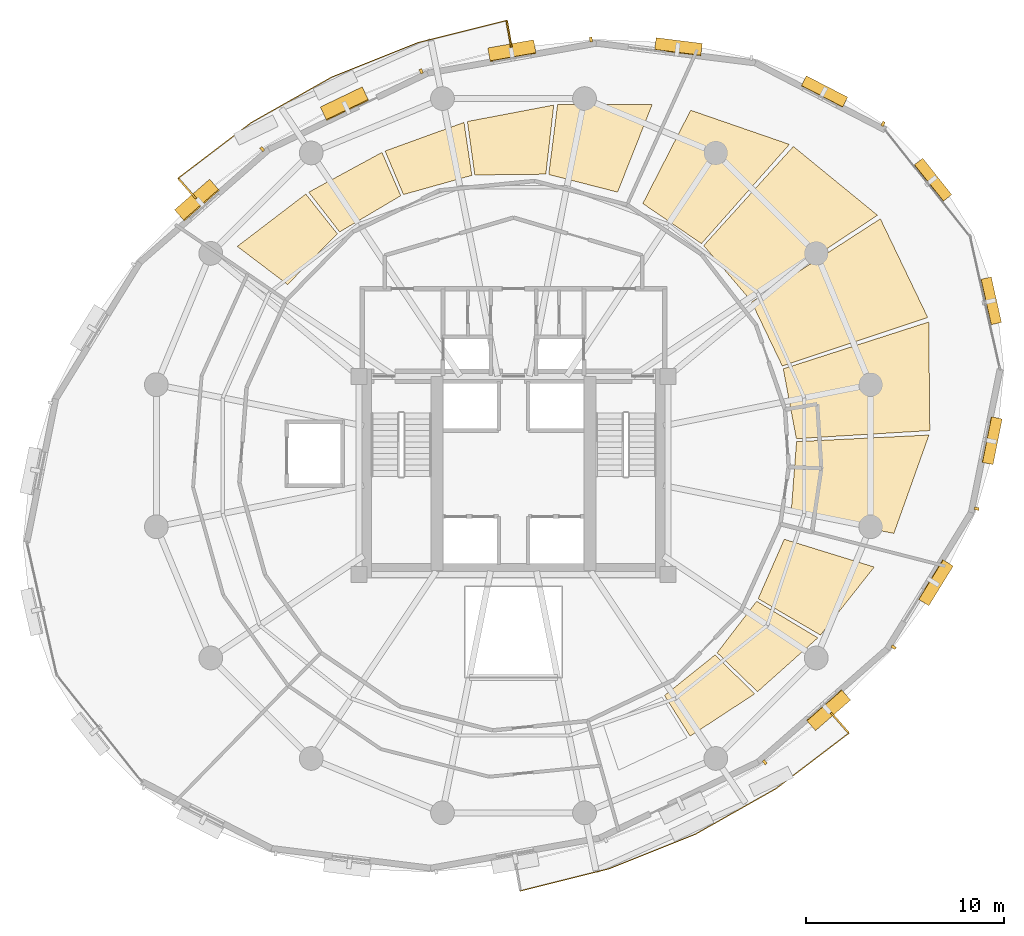
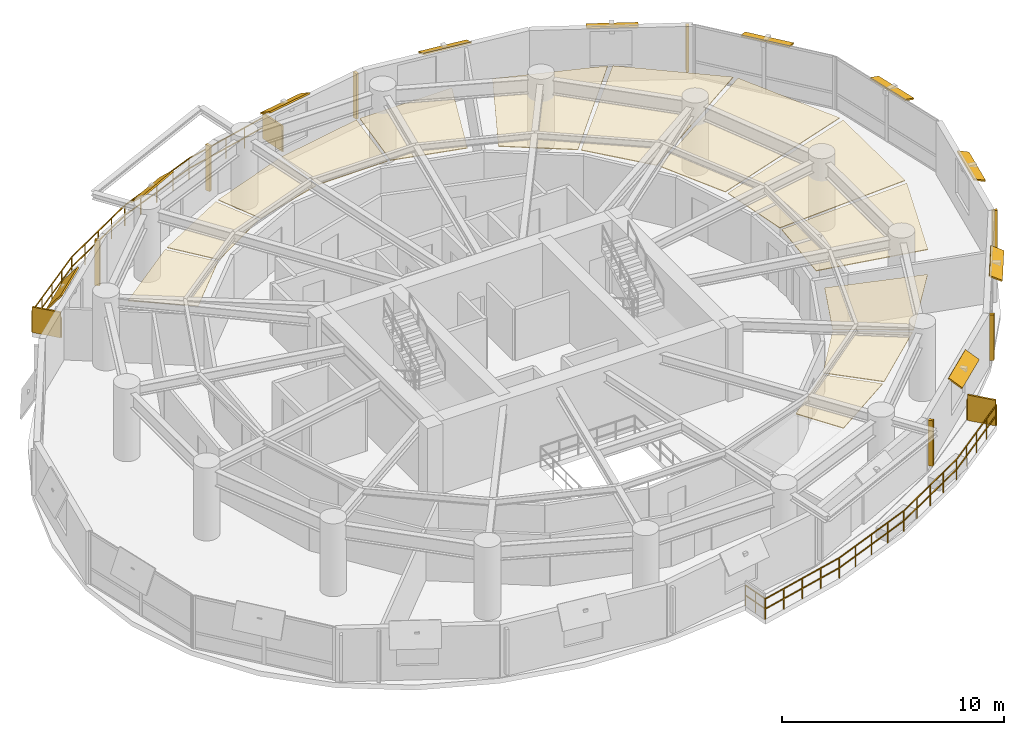
# One storey, part 14 of 15: 20 shading devices, 13 coverings, 2 railings.
"""IFC4 building model written with IfcOpenShell, lengths in metres."""

from ifc_helpers import new_model, si_unit, direction, frame, origin, origin_2d, place, context, subcontext, project, spatial, polyline, rectangle, outline, extrude, material, layer, layer_set, type_object, element, save


model = new_model("IFC4")

# Units and contexts
model_context = context("Model", 3, precision=1e-05, world=origin(), true_north=direction((0.0, 1.0)))
body_context = subcontext(model_context, "Body", "Model", "MODEL_VIEW")
ifc_project = project(units=[si_unit("LENGTHUNIT", "METRE"), si_unit("AREAUNIT", "SQUARE_METRE"), si_unit("VOLUMEUNIT", "CUBIC_METRE"), si_unit("PLANEANGLEUNIT", "RADIAN"), si_unit("MASSUNIT", "GRAM", prefix="KILO"), si_unit("THERMODYNAMICTEMPERATUREUNIT", "KELVIN"), si_unit("POWERUNIT", "WATT")], contexts=[model_context])

# Site, building, storey
site_placement = place(None, origin())
site = spatial("IfcSite", under=ifc_project, at=site_placement, CompositionType="ELEMENT")
building_placement = place(site_placement, origin())
building = spatial("IfcBuilding", under=site, at=building_placement, Name="Ocrelia Relay Tower", CompositionType="ELEMENT")
storey_placement = place(building_placement, frame((0.0, 0.0, 141.800048828125)))
storey = spatial("IfcBuildingStorey", under=building, at=storey_placement, Name="L33", CompositionType="ELEMENT", Elevation=141.800048828125)

# Coverings
ifc_material_1 = material(Name="Mineral-fiber acoustic ceiling tile", Category="gypsum")
ifc_layer_1 = layer(ifc_material_1, 0.0400390625, Name="Mineral-fiber acoustic ceiling tile")
ifc_layer_set_1 = layer_set([ifc_layer_1], Name="Mineral-fiber acoustic ceiling tile")
covering_type_1 = type_object("IfcCoveringType", Name="COV-CEIL-ACOUSTIC", PredefinedType="CEILING", material=ifc_layer_set_1)
covering_1_placement = place(storey_placement, frame((0.0, 0.0, 2.719970703125)))
element("IfcCovering", 1, at=covering_1_placement, inside=storey, type_object=covering_type_1, Name="L33 Shift Staff Lounge Suspended Ceiling 1", PredefinedType="CEILING", context=body_context, shape_type="SweptSolid", body=[
    extrude(outline(polyline([(48.030029296875, 23.1328125), (53.2216796875, 22.07177734375), (54.99609375, 27.045166015625), (48.30224609375, 26.7119140625), (48.030029296875, 23.1328125)])), origin(), (0.0, 0.0, 1.0), 0.0400390625),
])
covering_2_placement = place(storey_placement, frame((0.0, 0.0, 2.719970703125)))
element("IfcCovering", 2, at=covering_2_placement, inside=storey, type_object=covering_type_1, Name="L33 Shift Staff Lounge Suspended Ceiling 2", PredefinedType="CEILING", context=body_context, shape_type="SweptSolid", body=[
    extrude(outline(polyline([(48.2939453125, 26.86181640625), (55.03759765625, 27.268310546875), (54.983642578125, 32.75732421875), (47.630615234375, 30.389404296875), (48.2939453125, 26.86181640625)])), origin(), (0.0, 0.0, 1.0), 0.0400390625),
])
covering_3_placement = place(storey_placement, frame((0.0, 0.0, 2.719970703125)))
element("IfcCovering", 3, at=covering_3_placement, inside=storey, type_object=covering_type_1, Name="L33 Shift Staff Lounge Suspended Ceiling 3", PredefinedType="CEILING", context=body_context, shape_type="SweptSolid", body=[
    extrude(outline(polyline([(47.583984375, 30.531982421875), (54.93310546875, 32.98388671875), (52.538818359375, 37.97021484375), (46.030029296875, 33.767822265625), (47.583984375, 30.531982421875)])), origin(), (0.0, 0.0, 1.0), 0.0400390625),
])
covering_4_placement = place(storey_placement, frame((0.0, 0.0, 2.719970703125)))
element("IfcCovering", 4, at=covering_4_placement, inside=storey, type_object=covering_type_1, Name="L33 Shift Staff Lounge Suspended Ceiling 4", PredefinedType="CEILING", context=body_context, shape_type="SweptSolid", body=[
    extrude(outline(polyline([(45.947998046875, 33.893310546875), (52.3935546875, 38.1513671875), (48.1435546875, 41.62548828125), (43.60986328125, 36.61669921875), (45.947998046875, 33.893310546875)])), origin(), (0.0, 0.0, 1.0), 0.0400390625),
])
covering_5_placement = place(storey_placement, frame((0.0, 0.0, 2.719970703125)))
element("IfcCovering", 5, at=covering_5_placement, inside=storey, type_object=covering_type_1, Name="L33 Shift Staff Lounge Suspended Ceiling 5", PredefinedType="CEILING", context=body_context, shape_type="SweptSolid", body=[
    extrude(outline(polyline([(43.498046875, 36.716796875), (47.943359375, 41.732421875), (42.95263671875, 43.457275390625), (40.534423828125, 38.7421875), (43.498046875, 36.716796875)])), origin(), (0.0, 0.0, 1.0), 0.0400390625),
])
ifc_material_2 = material(Name="Cleanroom metal-pan acoustic ceiling", Category="aluminium")
ifc_layer_2 = layer(ifc_material_2, 0.0400390625, Name="Cleanroom metal-pan acoustic ceiling")
ifc_layer_set_2 = layer_set([ifc_layer_2], Name="Cleanroom metal-pan acoustic ceiling")
covering_type_2 = type_object("IfcCoveringType", Name="COV-CEIL-CLEAN", PredefinedType="CEILING", material=ifc_layer_set_2)
covering_6_placement = place(storey_placement, frame((0.0, 0.0, 2.719970703125)))
element("IfcCovering", 6, at=covering_6_placement, inside=storey, type_object=covering_type_2, Name="L33 Optical Switching Hall A Suspended Ceiling 1", PredefinedType="CEILING", context=body_context, shape_type="SweptSolid", body=[
    extrude(outline(polyline([(39.260009765625, 39.319091796875), (41.00732421875, 43.743896484375), (36.22509765625, 43.738525390625), (35.782470703125, 40.20849609375), (39.260009765625, 39.319091796875)])), origin(), (0.0, 0.0, 1.0), 0.0400390625),
])
covering_7_placement = place(storey_placement, frame((0.0, 0.0, 2.719970703125)))
element("IfcCovering", 7, at=covering_7_placement, inside=storey, type_object=covering_type_2, Name="L33 Optical Switching Hall A Suspended Ceiling 2", PredefinedType="CEILING", context=body_context, shape_type="SweptSolid", body=[
    extrude(outline(polyline([(35.633544921875, 40.2265625), (36.034423828125, 43.718994140625), (31.67138671875, 42.8896484375), (32.044189453125, 40.185791015625), (35.633544921875, 40.2265625)])), origin(), (0.0, 0.0, 1.0), 0.0400390625),
])
covering_8_placement = place(storey_placement, frame((0.0, 0.0, 2.719970703125)))
element("IfcCovering", 8, at=covering_8_placement, inside=storey, type_object=covering_type_2, Name="L33 Optical Switching Hall A Suspended Ceiling 3", PredefinedType="CEILING", context=body_context, shape_type="SweptSolid", body=[
    extrude(outline(polyline([(31.895751953125, 40.16455078125), (31.498046875, 42.841552734375), (27.51171875, 41.3974609375), (28.439208984375, 39.1962890625), (31.895751953125, 40.16455078125)])), origin(), (0.0, 0.0, 1.0), 0.0400390625),
])
covering_9_placement = place(storey_placement, frame((0.0, 0.0, 2.719970703125)))
element("IfcCovering", 9, at=covering_9_placement, inside=storey, type_object=covering_type_2, Name="L33 Optical Switching Hall A Suspended Ceiling 4", PredefinedType="CEILING", context=body_context, shape_type="SweptSolid", body=[
    extrude(outline(polyline([(28.301513671875, 39.13720703125), (27.35205078125, 41.32568359375), (23.652099609375, 39.31640625), (25.21337890625, 37.307373046875), (28.301513671875, 39.13720703125)])), origin(), (0.0, 0.0, 1.0), 0.0400390625),
])
covering_10_placement = place(storey_placement, frame((0.0, 0.0, 2.719970703125)))
element("IfcCovering", 10, at=covering_10_placement, inside=storey, type_object=covering_type_2, Name="L33 Optical Switching Hall A Suspended Ceiling 5", PredefinedType="CEILING", context=body_context, shape_type="SweptSolid", body=[
    extrude(outline(polyline([(25.095458984375, 37.214599609375), (23.5029296875, 39.22021484375), (20.041015625, 36.576171875), (22.586181640625, 34.64794921875), (25.095458984375, 37.214599609375)])), origin(), (0.0, 0.0, 1.0), 0.0400390625),
])
covering_11_placement = place(storey_placement, frame((0.0, 0.0, 2.719970703125)))
element("IfcCovering", 11, at=covering_11_placement, inside=storey, type_object=covering_type_2, Name="L33 Optical Systems Laboratory Suspended Ceiling 2", PredefinedType="CEILING", context=body_context, shape_type="SweptSolid", body=[
    extrude(outline(polyline([(41.630859375, 13.882568359375), (42.92431640625, 11.82861328125), (46.184814453125, 13.962890625), (44.1875, 15.936279296875), (41.630859375, 13.882568359375)])), origin(), (0.0, 0.0, 1.0), 0.0400390625),
])
covering_12_placement = place(storey_placement, frame((0.0, 0.0, 2.719970703125)))
element("IfcCovering", 12, at=covering_12_placement, inside=storey, type_object=covering_type_2, Name="L33 Optical Systems Laboratory Suspended Ceiling 3", PredefinedType="CEILING", context=body_context, shape_type="SweptSolid", body=[
    extrude(outline(polyline([(44.292236328125, 16.04345703125), (46.329345703125, 14.072998046875), (49.3798828125, 16.79541015625), (46.28759765625, 18.64599609375), (44.292236328125, 16.04345703125)])), origin(), (0.0, 0.0, 1.0), 0.0400390625),
])
covering_13_placement = place(storey_placement, frame((0.0, 0.0, 2.719970703125)))
element("IfcCovering", 13, at=covering_13_placement, inside=storey, type_object=covering_type_2, Name="L33 Optical Systems Laboratory Suspended Ceiling 4", PredefinedType="CEILING", context=body_context, shape_type="SweptSolid", body=[
    extrude(outline(polyline([(46.36376953125, 18.775146484375), (49.512939453125, 16.93505859375), (52.229248046875, 20.37451171875), (47.683349609375, 21.77734375), (46.36376953125, 18.775146484375)])), origin(), (0.0, 0.0, 1.0), 0.0400390625),
])

# Railings
ifc_material_3 = material(Name="Steel S355 balustrade", Category="steel")
railing_type = type_object("IfcRailingType", Name="RL-EXT-GUARD-1150", PredefinedType="GUARDRAIL", material=ifc_material_3)
railing_1_placement = place(storey_placement, frame((17.9716796875, 38.975341796875, 0.0)))
element("IfcRailing", 14, at=railing_1_placement, inside=storey, type_object=railing_type, Name="L33 Loggia Balcony Guard Rail B1", PredefinedType="GUARDRAIL", context=body_context, shape_type="SweptSolid", body=[
    extrude(rectangle(XDim=0.048095703125, YDim=0.048095703125, at=origin_2d()), frame((0.0, 0.0, 1.1259765625), z_axis=(-0.659991774861, 0.751272824689, 0.0), x_axis=(-0.751272824689, -0.659991774861, 0.0)), (0.0, 0.0, 1.0), 1.3935546875),
    extrude(rectangle(XDim=0.048095703125, YDim=0.048095703125, at=origin_2d()), frame((0.0, 0.0, 0.574951171875), z_axis=(-0.659991774861, 0.751272824689, 0.0), x_axis=(-0.751272824689, -0.659991774861, 0.0)), (0.0, 0.0, 1.0), 1.3935546875),
    extrude(rectangle(XDim=0.048095703125, YDim=0.048095703125, at=origin_2d()), frame((-0.919677734375, 1.046875, 1.1259765625), z_axis=(0.795780095009, 0.605585700283, 0.0), x_axis=(-0.605585700283, 0.795780095009, 0.0)), (0.0, 0.0, 1.0), 2.315673828125),
    extrude(rectangle(XDim=0.048095703125, YDim=0.048095703125, at=origin_2d()), frame((-0.919677734375, 1.046875, 0.574951171875), z_axis=(0.795780095009, 0.605585700283, 0.0), x_axis=(-0.605585700283, 0.795780095009, 0.0)), (0.0, 0.0, 1.0), 2.315673828125),
    extrude(rectangle(XDim=0.048095703125, YDim=0.048095703125, at=origin_2d()), frame((0.923095703125, 2.44921875, 1.1259765625), z_axis=(0.795780095009, 0.605585700283, 0.0), x_axis=(-0.605585700283, 0.795780095009, 0.0)), (0.0, 0.0, 1.0), 2.315673828125),
    extrude(rectangle(XDim=0.048095703125, YDim=0.048095703125, at=origin_2d()), frame((0.923095703125, 2.44921875, 0.574951171875), z_axis=(0.795780095009, 0.605585700283, 0.0), x_axis=(-0.605585700283, 0.795780095009, 0.0)), (0.0, 0.0, 1.0), 2.315673828125),
    extrude(rectangle(XDim=0.048095703125, YDim=0.048095703125, at=origin_2d()), frame((2.765869140625, 3.8515625, 1.1259765625), z_axis=(0.870455016813, 0.492247969731, 0.0), x_axis=(-0.492247969731, 0.870455016813, 0.0)), (0.0, 0.0, 1.0), 4.681884765625),
    extrude(rectangle(XDim=0.048095703125, YDim=0.048095703125, at=origin_2d()), frame((2.765869140625, 3.8515625, 0.574951171875), z_axis=(0.870455016813, 0.492247969731, 0.0), x_axis=(-0.492247969731, 0.870455016813, 0.0)), (0.0, 0.0, 1.0), 4.681884765625),
    extrude(rectangle(XDim=0.048095703125, YDim=0.048095703125, at=origin_2d()), frame((6.84130859375, 6.15625, 1.1259765625), z_axis=(0.92842993606, 0.371507542088, 0.0), x_axis=(-0.371507542088, 0.92842993606, 0.0)), (0.0, 0.0, 1.0), 4.682373046875),
    extrude(rectangle(XDim=0.048095703125, YDim=0.048095703125, at=origin_2d()), frame((6.84130859375, 6.15625, 0.574951171875), z_axis=(0.92842993606, 0.371507542088, 0.0), x_axis=(-0.371507542088, 0.92842993606, 0.0)), (0.0, 0.0, 1.0), 4.682373046875),
    extrude(rectangle(XDim=0.048095703125, YDim=0.048095703125, at=origin_2d()), frame((11.1884765625, 7.895751953125, 1.1259765625), z_axis=(0.970154902253, 0.242486011213, 0.0), x_axis=(-0.242486011213, 0.970154902253, 0.0)), (0.0, 0.0, 1.0), 2.315673828125),
    extrude(rectangle(XDim=0.048095703125, YDim=0.048095703125, at=origin_2d()), frame((11.1884765625, 7.895751953125, 0.574951171875), z_axis=(0.970154902253, 0.242486011213, 0.0), x_axis=(-0.242486011213, 0.970154902253, 0.0)), (0.0, 0.0, 1.0), 2.315673828125),
    extrude(rectangle(XDim=0.048095703125, YDim=0.048095703125, at=origin_2d()), frame((13.43505859375, 8.457275390625, 1.1259765625), z_axis=(0.970185893094, 0.242361987202, 0.0), x_axis=(-0.242361987202, 0.970185893094, 0.0)), (0.0, 0.0, 1.0), 2.31591796875),
    extrude(rectangle(XDim=0.048095703125, YDim=0.048095703125, at=origin_2d()), frame((13.43505859375, 8.457275390625, 0.574951171875), z_axis=(0.970185893094, 0.242361987202, 0.0), x_axis=(-0.242361987202, 0.970185893094, 0.0)), (0.0, 0.0, 1.0), 2.31591796875),
    extrude(rectangle(XDim=0.048095703125, YDim=0.048095703125, at=origin_2d()), frame((15.681884765625, 9.0185546875, 1.1259765625), z_axis=(0.173625415483, -0.984811766328, 0.0), x_axis=(0.984811766328, 0.173625415483, 0.0)), (0.0, 0.0, 1.0), 1.3935546875),
    extrude(rectangle(XDim=0.048095703125, YDim=0.048095703125, at=origin_2d()), frame((15.681884765625, 9.0185546875, 0.574951171875), z_axis=(0.173625415483, -0.984811766328, 0.0), x_axis=(0.984811766328, 0.173625415483, 0.0)), (0.0, 0.0, 1.0), 1.3935546875),
    extrude(rectangle(XDim=0.0419921875, YDim=0.0419921875, at=origin_2d()), origin(), (0.0, 0.0, 1.0), 1.101806640625),
    extrude(rectangle(XDim=0.0419921875, YDim=0.0419921875, at=origin_2d()), frame((-0.4599609375, 0.5234375, 0.0)), (0.0, 0.0, 1.0), 1.101806640625),
    extrude(rectangle(XDim=0.0419921875, YDim=0.0419921875, at=origin_2d()), frame((-0.919677734375, 1.046875, 0.0)), (0.0, 0.0, 1.0), 1.101806640625),
    extrude(rectangle(XDim=0.0419921875, YDim=0.0419921875, at=origin_2d()), frame((0.001708984375, 1.748046875, 0.0)), (0.0, 0.0, 1.0), 1.101806640625),
    extrude(rectangle(XDim=0.0419921875, YDim=0.0419921875, at=origin_2d()), frame((0.923095703125, 2.44921875, 0.0)), (0.0, 0.0, 1.0), 1.101806640625),
    extrude(rectangle(XDim=0.0419921875, YDim=0.0419921875, at=origin_2d()), frame((1.844482421875, 3.150390625, 0.0)), (0.0, 0.0, 1.0), 1.101806640625),
    extrude(rectangle(XDim=0.0419921875, YDim=0.0419921875, at=origin_2d()), frame((2.765869140625, 3.8515625, 0.0)), (0.0, 0.0, 1.0), 1.101806640625),
    extrude(rectangle(XDim=0.0419921875, YDim=0.0419921875, at=origin_2d()), frame((3.78466796875, 4.427734375, 0.0)), (0.0, 0.0, 1.0), 1.101806640625),
    extrude(rectangle(XDim=0.0419921875, YDim=0.0419921875, at=origin_2d()), frame((4.8037109375, 5.00390625, 0.0)), (0.0, 0.0, 1.0), 1.101806640625),
    extrude(rectangle(XDim=0.0419921875, YDim=0.0419921875, at=origin_2d()), frame((5.822509765625, 5.580078125, 0.0)), (0.0, 0.0, 1.0), 1.101806640625),
    extrude(rectangle(XDim=0.0419921875, YDim=0.0419921875, at=origin_2d()), frame((6.84130859375, 6.15625, 0.0)), (0.0, 0.0, 1.0), 1.101806640625),
    extrude(rectangle(XDim=0.0419921875, YDim=0.0419921875, at=origin_2d()), frame((7.92822265625, 6.591064453125, 0.0)), (0.0, 0.0, 1.0), 1.101806640625),
    extrude(rectangle(XDim=0.0419921875, YDim=0.0419921875, at=origin_2d()), frame((9.014892578125, 7.02587890625, 0.0)), (0.0, 0.0, 1.0), 1.101806640625),
    extrude(rectangle(XDim=0.0419921875, YDim=0.0419921875, at=origin_2d()), frame((10.1015625, 7.4609375, 0.0)), (0.0, 0.0, 1.0), 1.101806640625),
    extrude(rectangle(XDim=0.0419921875, YDim=0.0419921875, at=origin_2d()), frame((11.1884765625, 7.895751953125, 0.0)), (0.0, 0.0, 1.0), 1.101806640625),
    extrude(rectangle(XDim=0.0419921875, YDim=0.0419921875, at=origin_2d()), frame((12.311767578125, 8.176513671875, 0.0)), (0.0, 0.0, 1.0), 1.101806640625),
    extrude(rectangle(XDim=0.0419921875, YDim=0.0419921875, at=origin_2d()), frame((13.43505859375, 8.457275390625, 0.0)), (0.0, 0.0, 1.0), 1.101806640625),
    extrude(rectangle(XDim=0.0419921875, YDim=0.0419921875, at=origin_2d()), frame((14.55859375, 8.73779296875, 0.0)), (0.0, 0.0, 1.0), 1.101806640625),
    extrude(rectangle(XDim=0.0419921875, YDim=0.0419921875, at=origin_2d()), frame((15.681884765625, 9.0185546875, 0.0)), (0.0, 0.0, 1.0), 1.101806640625),
    extrude(rectangle(XDim=0.0419921875, YDim=0.0419921875, at=origin_2d()), frame((15.802734375, 8.33251953125, 0.0)), (0.0, 0.0, 1.0), 1.101806640625),
    extrude(rectangle(XDim=0.0419921875, YDim=0.0419921875, at=origin_2d()), frame((15.923828125, 7.646240234375, 0.0)), (0.0, 0.0, 1.0), 1.101806640625),
])
railing_2_placement = place(storey_placement, frame((50.0283203125, 13.024658203125, 0.0)))
element("IfcRailing", 15, at=railing_2_placement, inside=storey, type_object=railing_type, Name="L33 Loggia Balcony Guard Rail B2", PredefinedType="GUARDRAIL", context=body_context, shape_type="SweptSolid", body=[
    extrude(rectangle(XDim=0.048095703125, YDim=0.048095703125, at=origin_2d()), frame((0.0, 0.0, 1.1259765625), z_axis=(0.659991774861, -0.751272824689, 0.0), x_axis=(0.751272824689, 0.659991774861, 0.0)), (0.0, 0.0, 1.0), 1.3935546875),
    extrude(rectangle(XDim=0.048095703125, YDim=0.048095703125, at=origin_2d()), frame((0.0, 0.0, 0.574951171875), z_axis=(0.659991774861, -0.751272824689, 0.0), x_axis=(0.751272824689, 0.659991774861, 0.0)), (0.0, 0.0, 1.0), 1.3935546875),
    extrude(rectangle(XDim=0.048095703125, YDim=0.048095703125, at=origin_2d()), frame((0.919677734375, -1.046875, 1.1259765625), z_axis=(-0.795780095009, -0.605585700283, 0.0), x_axis=(0.605585700283, -0.795780095009, 0.0)), (0.0, 0.0, 1.0), 2.315673828125),
    extrude(rectangle(XDim=0.048095703125, YDim=0.048095703125, at=origin_2d()), frame((0.919677734375, -1.046875, 0.574951171875), z_axis=(-0.795780095009, -0.605585700283, 0.0), x_axis=(0.605585700283, -0.795780095009, 0.0)), (0.0, 0.0, 1.0), 2.315673828125),
    extrude(rectangle(XDim=0.048095703125, YDim=0.048095703125, at=origin_2d()), frame((-0.923095703125, -2.44921875, 1.1259765625), z_axis=(-0.795780095009, -0.605585700283, 0.0), x_axis=(0.605585700283, -0.795780095009, 0.0)), (0.0, 0.0, 1.0), 2.315673828125),
    extrude(rectangle(XDim=0.048095703125, YDim=0.048095703125, at=origin_2d()), frame((-0.923095703125, -2.44921875, 0.574951171875), z_axis=(-0.795780095009, -0.605585700283, 0.0), x_axis=(0.605585700283, -0.795780095009, 0.0)), (0.0, 0.0, 1.0), 2.315673828125),
    extrude(rectangle(XDim=0.048095703125, YDim=0.048095703125, at=origin_2d()), frame((-2.765869140625, -3.8515625, 1.1259765625), z_axis=(-0.870455016813, -0.492247969731, 0.0), x_axis=(0.492247969731, -0.870455016813, 0.0)), (0.0, 0.0, 1.0), 4.681884765625),
    extrude(rectangle(XDim=0.048095703125, YDim=0.048095703125, at=origin_2d()), frame((-2.765869140625, -3.8515625, 0.574951171875), z_axis=(-0.870455016813, -0.492247969731, 0.0), x_axis=(0.492247969731, -0.870455016813, 0.0)), (0.0, 0.0, 1.0), 4.681884765625),
    extrude(rectangle(XDim=0.048095703125, YDim=0.048095703125, at=origin_2d()), frame((-6.84130859375, -6.15625, 1.1259765625), z_axis=(-0.92842993606, -0.371507542088, 0.0), x_axis=(0.371507542088, -0.92842993606, 0.0)), (0.0, 0.0, 1.0), 4.682373046875),
    extrude(rectangle(XDim=0.048095703125, YDim=0.048095703125, at=origin_2d()), frame((-6.84130859375, -6.15625, 0.574951171875), z_axis=(-0.92842993606, -0.371507542088, 0.0), x_axis=(0.371507542088, -0.92842993606, 0.0)), (0.0, 0.0, 1.0), 4.682373046875),
    extrude(rectangle(XDim=0.048095703125, YDim=0.048095703125, at=origin_2d()), frame((-11.1884765625, -7.895751953125, 1.1259765625), z_axis=(-0.970154902253, -0.242486011213, 0.0), x_axis=(0.242486011213, -0.970154902253, 0.0)), (0.0, 0.0, 1.0), 2.315673828125),
    extrude(rectangle(XDim=0.048095703125, YDim=0.048095703125, at=origin_2d()), frame((-11.1884765625, -7.895751953125, 0.574951171875), z_axis=(-0.970154902253, -0.242486011213, 0.0), x_axis=(0.242486011213, -0.970154902253, 0.0)), (0.0, 0.0, 1.0), 2.315673828125),
    extrude(rectangle(XDim=0.048095703125, YDim=0.048095703125, at=origin_2d()), frame((-13.43505859375, -8.457275390625, 1.1259765625), z_axis=(-0.970185893094, -0.242361987202, 0.0), x_axis=(0.242361987202, -0.970185893094, 0.0)), (0.0, 0.0, 1.0), 2.31591796875),
    extrude(rectangle(XDim=0.048095703125, YDim=0.048095703125, at=origin_2d()), frame((-13.43505859375, -8.457275390625, 0.574951171875), z_axis=(-0.970185893094, -0.242361987202, 0.0), x_axis=(0.242361987202, -0.970185893094, 0.0)), (0.0, 0.0, 1.0), 2.31591796875),
    extrude(rectangle(XDim=0.048095703125, YDim=0.048095703125, at=origin_2d()), frame((-15.681884765625, -9.0185546875, 1.1259765625), z_axis=(-0.173625415483, 0.984811766328, 0.0), x_axis=(-0.984811766328, -0.173625415483, 0.0)), (0.0, 0.0, 1.0), 1.3935546875),
    extrude(rectangle(XDim=0.048095703125, YDim=0.048095703125, at=origin_2d()), frame((-15.681884765625, -9.0185546875, 0.574951171875), z_axis=(-0.173625415483, 0.984811766328, 0.0), x_axis=(-0.984811766328, -0.173625415483, 0.0)), (0.0, 0.0, 1.0), 1.3935546875),
    extrude(rectangle(XDim=0.0419921875, YDim=0.0419921875, at=origin_2d()), origin(), (0.0, 0.0, 1.0), 1.101806640625),
    extrude(rectangle(XDim=0.0419921875, YDim=0.0419921875, at=origin_2d()), frame((0.4599609375, -0.5234375, 0.0)), (0.0, 0.0, 1.0), 1.101806640625),
    extrude(rectangle(XDim=0.0419921875, YDim=0.0419921875, at=origin_2d()), frame((0.919677734375, -1.046875, 0.0)), (0.0, 0.0, 1.0), 1.101806640625),
    extrude(rectangle(XDim=0.0419921875, YDim=0.0419921875, at=origin_2d()), frame((-0.001708984375, -1.748046875, 0.0)), (0.0, 0.0, 1.0), 1.101806640625),
    extrude(rectangle(XDim=0.0419921875, YDim=0.0419921875, at=origin_2d()), frame((-0.923095703125, -2.44921875, 0.0)), (0.0, 0.0, 1.0), 1.101806640625),
    extrude(rectangle(XDim=0.0419921875, YDim=0.0419921875, at=origin_2d()), frame((-1.844482421875, -3.150390625, 0.0)), (0.0, 0.0, 1.0), 1.101806640625),
    extrude(rectangle(XDim=0.0419921875, YDim=0.0419921875, at=origin_2d()), frame((-2.765869140625, -3.8515625, 0.0)), (0.0, 0.0, 1.0), 1.101806640625),
    extrude(rectangle(XDim=0.0419921875, YDim=0.0419921875, at=origin_2d()), frame((-3.78466796875, -4.427734375, 0.0)), (0.0, 0.0, 1.0), 1.101806640625),
    extrude(rectangle(XDim=0.0419921875, YDim=0.0419921875, at=origin_2d()), frame((-4.8037109375, -5.00390625, 0.0)), (0.0, 0.0, 1.0), 1.101806640625),
    extrude(rectangle(XDim=0.0419921875, YDim=0.0419921875, at=origin_2d()), frame((-5.822509765625, -5.580078125, 0.0)), (0.0, 0.0, 1.0), 1.101806640625),
    extrude(rectangle(XDim=0.0419921875, YDim=0.0419921875, at=origin_2d()), frame((-6.84130859375, -6.15625, 0.0)), (0.0, 0.0, 1.0), 1.101806640625),
    extrude(rectangle(XDim=0.0419921875, YDim=0.0419921875, at=origin_2d()), frame((-7.92822265625, -6.591064453125, 0.0)), (0.0, 0.0, 1.0), 1.101806640625),
    extrude(rectangle(XDim=0.0419921875, YDim=0.0419921875, at=origin_2d()), frame((-9.014892578125, -7.02587890625, 0.0)), (0.0, 0.0, 1.0), 1.101806640625),
    extrude(rectangle(XDim=0.0419921875, YDim=0.0419921875, at=origin_2d()), frame((-10.1015625, -7.4609375, 0.0)), (0.0, 0.0, 1.0), 1.101806640625),
    extrude(rectangle(XDim=0.0419921875, YDim=0.0419921875, at=origin_2d()), frame((-11.1884765625, -7.895751953125, 0.0)), (0.0, 0.0, 1.0), 1.101806640625),
    extrude(rectangle(XDim=0.0419921875, YDim=0.0419921875, at=origin_2d()), frame((-12.311767578125, -8.176513671875, 0.0)), (0.0, 0.0, 1.0), 1.101806640625),
    extrude(rectangle(XDim=0.0419921875, YDim=0.0419921875, at=origin_2d()), frame((-13.43505859375, -8.457275390625, 0.0)), (0.0, 0.0, 1.0), 1.101806640625),
    extrude(rectangle(XDim=0.0419921875, YDim=0.0419921875, at=origin_2d()), frame((-14.55859375, -8.73779296875, 0.0)), (0.0, 0.0, 1.0), 1.101806640625),
    extrude(rectangle(XDim=0.0419921875, YDim=0.0419921875, at=origin_2d()), frame((-15.681884765625, -9.0185546875, 0.0)), (0.0, 0.0, 1.0), 1.101806640625),
    extrude(rectangle(XDim=0.0419921875, YDim=0.0419921875, at=origin_2d()), frame((-15.802734375, -8.33251953125, 0.0)), (0.0, 0.0, 1.0), 1.101806640625),
    extrude(rectangle(XDim=0.0419921875, YDim=0.0419921875, at=origin_2d()), frame((-15.923828125, -7.646240234375, 0.0)), (0.0, 0.0, 1.0), 1.101806640625),
])

# Shading devices
ifc_material_4 = material(Name="Perforated oxide terracotta solar screen", Category="masonry")
ifc_layer_3 = layer(ifc_material_4, 0.090087890625, Name="Perforated oxide terracotta solar screen")
ifc_layer_set_3 = layer_set([ifc_layer_3], Name="Perforated oxide terracotta solar screen")
shading_device_type_1 = type_object("IfcShadingDeviceType", Name="SH-BALC-SCREEN", PredefinedType="USERDEFINED", material=ifc_layer_set_3)
for number, where, z_axis, x_axis, name in (
    (16, (33.7744140625, 47.307861328125, 0.0), (0.0, 0.0, 1.0), (-0.173597010546, 0.984816773786, 0.0), "L33 Balcony Perforated Terracotta Screen B1-1"),
    (17, (17.51171875, 39.498779296875, 0.0), (0.0, 0.0, 1.0), (-0.660027480692, 0.751241455679, 0.0), "L33 Balcony Perforated Terracotta Screen B1-2"),
    (18, (50.48828125, 12.501220703125, 0.0), (0.0, 0.0, 1.0), (0.660027480692, -0.751241455679, 0.0), "L33 Balcony Perforated Terracotta Screen B2-2"),
):
    element("IfcShadingDevice", number, at=place(storey_placement, frame(where, z_axis=z_axis, x_axis=x_axis)), inside=storey, type_object=shading_device_type_1, Name=name, ObjectType="SCREEN", PredefinedType="USERDEFINED", context=body_context, shape_type="SweptSolid", body=[
        extrude(rectangle(XDim=1.340087890625, YDim=0.090087890625, at=origin_2d()), origin(), (0.0, 0.0, 1.0), 1.39990234375),
    ])
ifc_material_5 = material(Name="Extruded oxide terracotta vertical baguette", Category="masonry")
shading_device_type_2 = type_object("IfcShadingDeviceType", Name="SH-TERR-BAGUETTE", PredefinedType="USERDEFINED", material=ifc_material_5)
for number, where, z_axis, x_axis, name in (
    (19, (52.676025390625, 42.770751953125, 0.199951171875), (0.0, 0.0, 1.0), (-0.88836891753, 0.459130337013, 0.0), "L33 Oxide Terracotta Vertical Baguette 02"),
    (20, (37.91455078125, 47.026611328125, 0.199951171875), (0.0, 0.0, 1.0), (-0.984567717702, -0.17500402641, 0.0), "L33 Oxide Terracotta Vertical Baguette 04"),
    (21, (29.3359375, 45.427734375, 0.199951171875), (0.0, 0.0, 1.0), (-0.901453190429, -0.432876593806, 0.0), "L33 Oxide Terracotta Vertical Baguette 05"),
    (22, (21.30517578125, 41.490478515625, 0.199951171875), (0.0, 0.0, 1.0), (-0.752168709918, -0.658970584943, 0.0), "L33 Oxide Terracotta Vertical Baguette 06"),
    (23, (46.69482421875, 10.509521484375, 0.199951171875), (0.0, 0.0, 1.0), (0.752168709918, 0.658970584943, 0.0), "L33 Oxide Terracotta Vertical Baguette 15"),
    (24, (53.2080078125, 16.322998046875, 0.199951171875), (0.0, 0.0, 1.0), (0.524466805502, 0.851430895568, 0.0), "L33 Oxide Terracotta Vertical Baguette 16"),
    (25, (57.404541015625, 23.32177734375, 0.199951171875), (0.0, 0.0, 1.0), (0.197134441849, 0.980376464343, 0.0), "L33 Oxide Terracotta Vertical Baguette 17"),
):
    element("IfcShadingDevice", number, at=place(storey_placement, frame(where, z_axis=z_axis, x_axis=x_axis)), inside=storey, type_object=shading_device_type_2, Name=name, ObjectType="BAGUETTE", PredefinedType="USERDEFINED", context=body_context, shape_type="SweptSolid", body=[
        extrude(rectangle(XDim=0.139892578125, YDim=0.239990234375, at=origin_2d()), origin(), (0.0, 0.0, 1.0), 2.5),
    ])
ifc_material_6 = material(Name="Extruded oxide terracotta fin", Category="masonry")
ifc_layer_4 = layer(ifc_material_6, 0.080078125, Name="Extruded oxide terracotta fin")
ifc_layer_set_4 = layer_set([ifc_layer_4], Name="Extruded oxide terracotta fin")
shading_device_type_3 = type_object("IfcShadingDeviceType", Name="SH-VISOR-FIN-MED", PredefinedType="USERDEFINED", material=ifc_layer_set_4)
shading_device_1_placement = place(storey_placement, frame((33.923583984375, 46.441650390625, 2.7060546875), z_axis=(-0.092582537586, 0.520866745753, 0.848602561216), x_axis=(-0.984567717702, -0.17500402641, 0.0)))
element("IfcShadingDevice", 26, at=shading_device_1_placement, inside=storey, type_object=shading_device_type_3, Name="L33 Canted Terracotta Sun-Visor Fin 04", ObjectType="FIN", PredefinedType="USERDEFINED", context=body_context, shape_type="SweptSolid", body=[
    extrude(rectangle(XDim=2.35009765625, YDim=0.781982421875, at=origin_2d()), origin(), (0.0, 0.0, 1.0), 0.080078125),
])
shading_device_2_placement = place(storey_placement, frame((25.471435546875, 43.76123046875, 2.71044921875), z_axis=(-0.291163684419, 0.606340088635, 0.739983382104), x_axis=(-0.901453190429, -0.432876593806, 0.0)))
element("IfcShadingDevice", 27, at=shading_device_2_placement, inside=storey, type_object=shading_device_type_3, Name="L33 Canted Terracotta Sun-Visor Fin 05", ObjectType="FIN", PredefinedType="USERDEFINED", context=body_context, shape_type="SweptSolid", body=[
    extrude(rectangle(XDim=2.35009765625, YDim=0.955078125, at=origin_2d()), origin(), (0.0, 0.0, 1.0), 0.080078125),
])
shading_device_3_placement = place(storey_placement, frame((18.02685546875, 38.892822265625, 2.715576171875), z_axis=(-0.523146390149, 0.597134916744, 0.608068865901), x_axis=(-0.752168709918, -0.658970584943, 0.0)))
element("IfcShadingDevice", 28, at=shading_device_3_placement, inside=storey, type_object=shading_device_type_3, Name="L33 Canted Terracotta Sun-Visor Fin 06", ObjectType="FIN", PredefinedType="USERDEFINED", context=body_context, shape_type="SweptSolid", body=[
    extrude(rectangle(XDim=2.35009765625, YDim=1.1259765625, at=origin_2d()), origin(), (0.0, 0.0, 1.0), 0.080078125),
])
ifc_layer_5 = layer(ifc_material_6, 0.080078125, Name="Extruded oxide terracotta fin")
ifc_layer_set_5 = layer_set([ifc_layer_5], Name="Extruded oxide terracotta fin")
shading_device_type_4 = type_object("IfcShadingDeviceType", Name="SH-VISOR-FIN-SHAL", PredefinedType="USERDEFINED", material=ifc_layer_set_5)
shading_device_4_placement = place(storey_placement, frame((55.18408203125, 39.93408203125, 2.701904296875), z_axis=(0.244676582313, 0.195460839452, 0.949699126202), x_axis=(-0.624148881208, 0.781305429449, 0.0)))
element("IfcShadingDevice", 29, at=shading_device_4_placement, inside=storey, type_object=shading_device_type_4, Name="L33 Canted Terracotta Sun-Visor Fin 01", ObjectType="FIN", PredefinedType="USERDEFINED", context=body_context, shape_type="SweptSolid", body=[
    extrude(rectangle(XDim=2.35009765625, YDim=0.553955078125, at=origin_2d()), origin(), (0.0, 0.0, 1.0), 0.080078125),
])
shading_device_5_placement = place(storey_placement, frame((49.708251953125, 44.385498046875, 2.702392578125), z_axis=(0.158236021466, 0.306170060595, 0.938733857654), x_axis=(-0.88836891753, 0.459130337013, 0.0)))
element("IfcShadingDevice", 30, at=shading_device_5_placement, inside=storey, type_object=shading_device_type_4, Name="L33 Canted Terracotta Sun-Visor Fin 02", ObjectType="FIN", PredefinedType="USERDEFINED", context=body_context, shape_type="SweptSolid", body=[
    extrude(rectangle(XDim=2.35009765625, YDim=0.5859375, at=origin_2d()), origin(), (0.0, 0.0, 1.0), 0.080078125),
])
shading_device_6_placement = place(storey_placement, frame((42.334716796875, 46.64697265625, 2.70361328125), z_axis=(0.050949598964, 0.410911252114, 0.9102505596), x_axis=(-0.992400538758, 0.123049464335, 0.0)))
element("IfcShadingDevice", 31, at=shading_device_6_placement, inside=storey, type_object=shading_device_type_4, Name="L33 Canted Terracotta Sun-Visor Fin 03", ObjectType="FIN", PredefinedType="USERDEFINED", context=body_context, shape_type="SweptSolid", body=[
    extrude(rectangle(XDim=2.35009765625, YDim=0.657958984375, at=origin_2d()), origin(), (0.0, 0.0, 1.0), 0.080078125),
])
shading_device_7_placement = place(storey_placement, frame((49.90380859375, 13.16064453125, 2.705810546875), z_axis=(0.343820734256, -0.392447256429, 0.853095805649), x_axis=(0.752168709918, 0.658970584943, 0.0)))
element("IfcShadingDevice", 32, at=shading_device_7_placement, inside=storey, type_object=shading_device_type_4, Name="L33 Canted Terracotta Sun-Visor Fin 15", ObjectType="FIN", PredefinedType="USERDEFINED", context=body_context, shape_type="SweptSolid", body=[
    extrude(rectangle(XDim=2.35009765625, YDim=0.77392578125, at=origin_2d()), origin(), (0.0, 0.0, 1.0), 0.080078125),
])
shading_device_8_placement = place(storey_placement, frame((55.322998046875, 19.595703125, 2.703369140625), z_axis=(0.347529514629, -0.214072211032, 0.912905430439), x_axis=(0.524466805502, 0.851430895568, 0.0)))
element("IfcShadingDevice", 33, at=shading_device_8_placement, inside=storey, type_object=shading_device_type_4, Name="L33 Canted Terracotta Sun-Visor Fin 16", ObjectType="FIN", PredefinedType="USERDEFINED", context=body_context, shape_type="SweptSolid", body=[
    extrude(rectangle(XDim=2.35009765625, YDim=0.65087890625, at=origin_2d()), origin(), (0.0, 0.0, 1.0), 0.080078125),
])
shading_device_9_placement = place(storey_placement, frame((58.1689453125, 26.763916015625, 2.702392578125), z_axis=(0.334343581778, -0.067229924194, 0.940050268133), x_axis=(0.197134441849, 0.980376464343, 0.0)))
element("IfcShadingDevice", 34, at=shading_device_9_placement, inside=storey, type_object=shading_device_type_4, Name="L33 Canted Terracotta Sun-Visor Fin 17", ObjectType="FIN", PredefinedType="USERDEFINED", context=body_context, shape_type="SweptSolid", body=[
    extrude(rectangle(XDim=2.35009765625, YDim=0.58203125, at=origin_2d()), origin(), (0.0, 0.0, 1.0), 0.080078125),
])
shading_device_10_placement = place(storey_placement, frame((58.11962890625, 33.8203125, 2.701904296875), z_axis=(0.304393872991, 0.068486693816, 0.950081019101), x_axis=(-0.219506314656, 0.975611079184, 0.0)))
element("IfcShadingDevice", 35, at=shading_device_10_placement, inside=storey, type_object=shading_device_type_4, Name="L33 Canted Terracotta Sun-Visor Fin 18", ObjectType="FIN", PredefinedType="USERDEFINED", context=body_context, shape_type="SweptSolid", body=[
    extrude(rectangle(XDim=2.35009765625, YDim=0.552978515625, at=origin_2d()), origin(), (0.0, 0.0, 1.0), 0.080078125),
])

save(model, "model.ifc")
